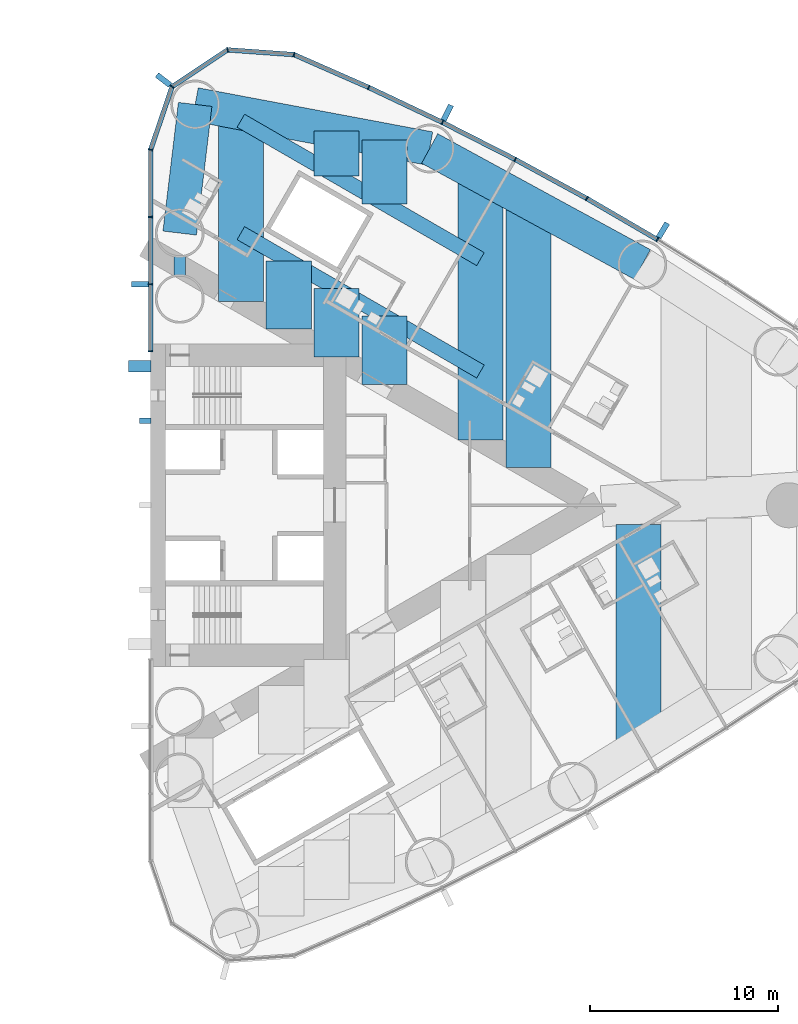
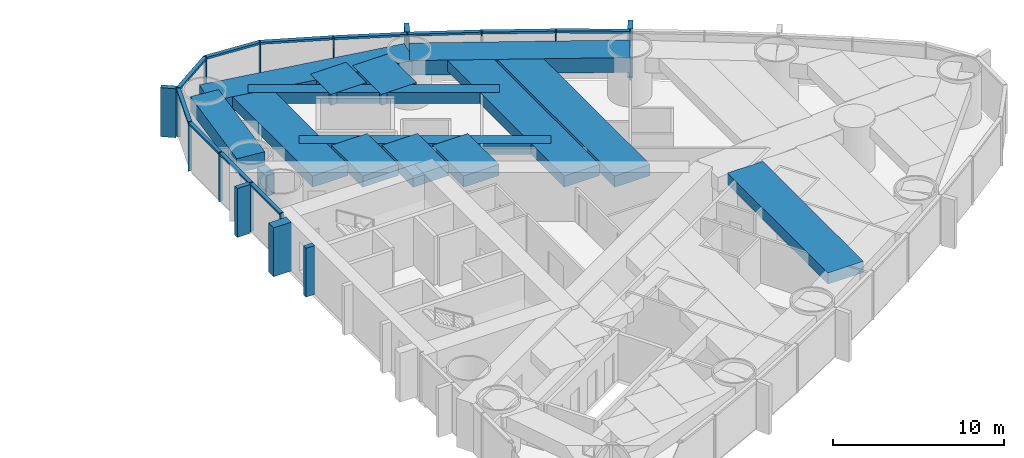
# One storey, part 7 of 18: 29 members, 15 beams, 1 element without a shape of its own.
"""IFC4 building model written with IfcOpenShell, lengths in metres."""

from ifc_helpers import new_model, si_unit, direction, frame, origin, origin_2d, place, context, subcontext, project, spatial, rectangle, hollow_rectangle, extrude, material, material_profile, profile_set, type_object, element, aggregate, save


model = new_model("IFC4")

# Units and contexts
model_context = context("Model", 3, precision=1e-05, world=origin(), true_north=direction((0.0, 1.0)))
body_context = subcontext(model_context, "Body", "Model", "MODEL_VIEW")
ifc_project = project(units=[si_unit("LENGTHUNIT", "METRE"), si_unit("AREAUNIT", "SQUARE_METRE"), si_unit("VOLUMEUNIT", "CUBIC_METRE"), si_unit("PLANEANGLEUNIT", "RADIAN"), si_unit("MASSUNIT", "GRAM", prefix="KILO")], contexts=[model_context])

# Site, building, storey
site_placement = place(None, origin())
site = spatial("IfcSite", under=ifc_project, at=site_placement, CompositionType="ELEMENT")
building_placement = place(site_placement, origin())
building = spatial("IfcBuilding", under=site, at=building_placement, Name="Lancet Gate Hotel", CompositionType="ELEMENT")
storey_placement = place(building_placement, frame((0.0, 0.0, 94.10009765625)))
storey = spatial("IfcBuildingStorey", under=building, at=storey_placement, Name="L24", CompositionType="ELEMENT", Elevation=94.10009765625)

# Curtain wall, members
ifc_material_1 = material(Name="Aluminium curtain wall", Category="aluminium")
curtain_wall_type = type_object("IfcCurtainWallType", Name="Tower unitised curtain wall", PredefinedType="USERDEFINED", material=ifc_material_1)
curtain_wall_placement = place(storey_placement, origin())
curtain_wall = element("IfcCurtainWall", 1, at=curtain_wall_placement, inside=storey, type_object=curtain_wall_type, Name="T2 L24 curtain wall 1", ObjectType="UNITISED CURTAIN WALL", PredefinedType="USERDEFINED")
ifc_material_2 = material(Name="Aluminium mullion", Category="aluminium")
ifc_material_profile_1 = material_profile(ifc_material_2, rectangle(XDim=0.06494140625, YDim=0.25, at=origin_2d()), Name="MULLION 65x250")
ifc_profile_set_1 = profile_set([ifc_material_profile_1], Name="Aluminium mullion")
member_type_1 = type_object("IfcMemberType", Name="Aluminium mullion 65x250", PredefinedType="MULLION", material=ifc_profile_set_1)
member_1_placement = place(storey_placement, frame((54.496337890625, 14.1552734375, 0.0), z_axis=(0.0, 0.0, 1.0), x_axis=(-0.856728030701, 0.515768437781, 0.0)))
member_1 = element("IfcMember", 2, at=member_1_placement, type_object=member_type_1, Name="T2 L24 curtain wall 1 mullion 23", PredefinedType="MULLION", context=body_context, shape_type="SweptSolid", body=[
    extrude(rectangle(XDim=0.06494140625, YDim=0.25, at=origin_2d()), origin(), (0.0, 0.0, 1.0), 3.5),
])
member_2_placement = place(storey_placement, frame((50.740478515625, 16.344482421875, 0.0), z_axis=(0.0, 0.0, 1.0), x_axis=(-0.871028838445, 0.491231882716, 0.0)))
member_2 = element("IfcMember", 3, at=member_2_placement, type_object=member_type_1, Name="T2 L24 curtain wall 1 mullion 24", PredefinedType="MULLION", context=body_context, shape_type="SweptSolid", body=[
    extrude(rectangle(XDim=0.06494140625, YDim=0.25, at=origin_2d()), origin(), (0.0, 0.0, 1.0), 3.5),
])
member_3_placement = place(storey_placement, frame((46.923828125, 18.426025390625, 0.0), z_axis=(0.0, 0.0, 1.0), x_axis=(-0.884627112962, 0.466299121822, 0.0)))
member_3 = element("IfcMember", 4, at=member_3_placement, type_object=member_type_1, Name="T2 L24 curtain wall 1 mullion 25", PredefinedType="MULLION", context=body_context, shape_type="SweptSolid", body=[
    extrude(rectangle(XDim=0.06494140625, YDim=0.25, at=origin_2d()), origin(), (0.0, 0.0, 1.0), 3.5),
])
member_4_placement = place(storey_placement, frame((43.0498046875, 20.398193359375, 0.0), z_axis=(0.0, 0.0, 1.0), x_axis=(-0.897511886496, 0.440990264743, 0.0)))
member_4 = element("IfcMember", 5, at=member_4_placement, type_object=member_type_1, Name="T2 L24 curtain wall 1 mullion 26", PredefinedType="MULLION", context=body_context, shape_type="SweptSolid", body=[
    extrude(rectangle(XDim=0.06494140625, YDim=0.25, at=origin_2d()), origin(), (0.0, 0.0, 1.0), 3.5),
])
member_5_placement = place(storey_placement, frame((39.12109375, 22.259765625, 0.0), z_axis=(0.0, 0.0, 1.0), x_axis=(-0.909672766767, 0.415325724465, 0.0)))
member_5 = element("IfcMember", 6, at=member_5_placement, type_object=member_type_1, Name="T2 L24 curtain wall 1 mullion 27", PredefinedType="MULLION", context=body_context, shape_type="SweptSolid", body=[
    extrude(rectangle(XDim=0.06494140625, YDim=0.25, at=origin_2d()), origin(), (0.0, 0.0, 1.0), 3.5),
])
member_6_placement = place(storey_placement, frame((35.141357421875, 24.009033203125, 0.0), z_axis=(0.0, 0.0, 1.0), x_axis=(-0.966317378791, 0.257353304711, 0.0)))
member_6 = element("IfcMember", 7, at=member_6_placement, type_object=member_type_1, Name="T2 L24 curtain wall 1 mullion 28", PredefinedType="MULLION", context=body_context, shape_type="SweptSolid", body=[
    extrude(rectangle(XDim=0.06494140625, YDim=0.25, at=origin_2d()), origin(), (0.0, 0.0, 1.0), 3.5),
])
member_7_placement = place(storey_placement, frame((31.60205078125, 24.26220703125, 0.0), z_axis=(0.0, 0.0, 1.0), x_axis=(-0.967157174963, -0.254179068604, 0.0)))
member_7 = element("IfcMember", 8, at=member_7_placement, type_object=member_type_1, Name="T2 L24 curtain wall 1 mullion 29", PredefinedType="MULLION", context=body_context, shape_type="SweptSolid", body=[
    extrude(rectangle(XDim=0.06494140625, YDim=0.25, at=origin_2d()), origin(), (0.0, 0.0, 1.0), 3.5),
])
member_8_placement = place(storey_placement, frame((28.64453125, 22.301513671875, 0.0), z_axis=(0.0, 0.0, 1.0), x_axis=(-0.610663954798, -0.79188984986, 0.0)))
member_8 = element("IfcMember", 9, at=member_8_placement, type_object=member_type_1, Name="T2 L24 curtain wall 1 mullion 30", PredefinedType="MULLION", context=body_context, shape_type="SweptSolid", body=[
    extrude(rectangle(XDim=0.06494140625, YDim=0.25, at=origin_2d()), origin(), (0.0, 0.0, 1.0), 3.5),
])
member_9_placement = place(storey_placement, frame((27.5, 18.94287109375, 0.0), z_axis=(0.0, 0.0, 1.0), x_axis=(-0.162738742557, -0.986669195663, 0.0)))
member_9 = element("IfcMember", 10, at=member_9_placement, type_object=member_type_1, Name="T2 L24 curtain wall 1 mullion 31", PredefinedType="MULLION", context=body_context, shape_type="SweptSolid", body=[
    extrude(rectangle(XDim=0.06494140625, YDim=0.25, at=origin_2d()), origin(), (0.0, 0.0, 1.0), 3.5),
])
member_10_placement = place(storey_placement, frame((27.5, 15.362060546875, 0.0), z_axis=(0.0, 0.0, 1.0), x_axis=(0.0, -1.0, 0.0)))
member_10 = element("IfcMember", 11, at=member_10_placement, type_object=member_type_1, Name="T2 L24 curtain wall 1 mullion 32", PredefinedType="MULLION", context=body_context, shape_type="SweptSolid", body=[
    extrude(rectangle(XDim=0.06494140625, YDim=0.25, at=origin_2d()), origin(), (0.0, 0.0, 1.0), 3.5),
])
member_11_placement = place(storey_placement, frame((27.5, 11.781005859375, 0.0), z_axis=(0.0, 0.0, 1.0), x_axis=(0.0, -1.0, 0.0)))
member_11 = element("IfcMember", 12, at=member_11_placement, type_object=member_type_1, Name="T2 L24 curtain wall 1 mullion 33", PredefinedType="MULLION", context=body_context, shape_type="SweptSolid", body=[
    extrude(rectangle(XDim=0.06494140625, YDim=0.25, at=origin_2d()), origin(), (0.0, 0.0, 1.0), 3.5),
])
member_12_placement = place(storey_placement, frame((27.5, 8.199951171875, 0.0), z_axis=(0.0, 0.0, 1.0), x_axis=(0.0, -1.0, 0.0)))
member_12 = element("IfcMember", 13, at=member_12_placement, type_object=member_type_1, Name="T2 L24 curtain wall 1 mullion 34", PredefinedType="MULLION", context=body_context, shape_type="SweptSolid", body=[
    extrude(rectangle(XDim=0.06494140625, YDim=0.25, at=origin_2d()), origin(), (0.0, 0.0, 1.0), 3.5),
])
ifc_material_3 = material(Name="Aluminium transom", Category="aluminium")
ifc_material_profile_2 = material_profile(ifc_material_3, rectangle(XDim=0.25, YDim=0.14990234375, at=origin_2d()), Name="TRANSOM 250x150")
ifc_profile_set_2 = profile_set([ifc_material_profile_2], Name="Aluminium transom")
member_type_2 = type_object("IfcMemberType", Name="Aluminium transom 250x150", PredefinedType="USERDEFINED", material=ifc_profile_set_2)
member_13_placement = place(storey_placement, frame((54.46826171875, 14.171630859375, 3.4248046875), z_axis=(-0.863973212152, 0.503537772847, 0.0), x_axis=(-0.503537772847, -0.863973212152, 0.0)))
member_13 = element("IfcMember", 14, at=member_13_placement, type_object=member_type_2, Name="T2 L24 curtain wall 1 transom 23", ObjectType="TRANSOM", PredefinedType="USERDEFINED", context=body_context, shape_type="SweptSolid", body=[
    extrude(rectangle(XDim=0.25, YDim=0.14990234375, at=origin_2d()), origin(), (0.0, 0.0, 1.0), 4.2822265625),
])
member_14_placement = place(storey_placement, frame((50.7119140625, 16.35986328125, 3.4248046875), z_axis=(-0.877906466435, 0.478832158685, 0.0), x_axis=(-0.478832158685, -0.877906466435, 0.0)))
member_14 = element("IfcMember", 15, at=member_14_placement, type_object=member_type_2, Name="T2 L24 curtain wall 1 transom 24", ObjectType="TRANSOM", PredefinedType="USERDEFINED", context=body_context, shape_type="SweptSolid", body=[
    extrude(rectangle(XDim=0.25, YDim=0.14990234375, at=origin_2d()), origin(), (0.0, 0.0, 1.0), 4.282470703125),
])
member_15_placement = place(storey_placement, frame((46.89501953125, 18.440673828125, 3.4248046875), z_axis=(-0.891165630033, 0.453678101574, 0.0), x_axis=(-0.453678101574, -0.891165630033, 0.0)))
member_15 = element("IfcMember", 16, at=member_15_placement, type_object=member_type_2, Name="T2 L24 curtain wall 1 transom 25", ObjectType="TRANSOM", PredefinedType="USERDEFINED", context=body_context, shape_type="SweptSolid", body=[
    extrude(rectangle(XDim=0.25, YDim=0.14990234375, at=origin_2d()), origin(), (0.0, 0.0, 1.0), 4.282470703125),
])
member_16_placement = place(storey_placement, frame((43.0205078125, 20.412109375, 3.4248046875), z_axis=(-0.903679787814, 0.428208875546, 0.0), x_axis=(-0.428208875546, -0.903679787814, 0.0)))
member_16 = element("IfcMember", 17, at=member_16_placement, type_object=member_type_2, Name="T2 L24 curtain wall 1 transom 26", ObjectType="TRANSOM", PredefinedType="USERDEFINED", context=body_context, shape_type="SweptSolid", body=[
    extrude(rectangle(XDim=0.25, YDim=0.14990234375, at=origin_2d()), origin(), (0.0, 0.0, 1.0), 4.282470703125),
])
member_17_placement = place(storey_placement, frame((39.09130859375, 22.27294921875, 3.4248046875), z_axis=(-0.915484772266, 0.402352621155, 0.0), x_axis=(-0.402352621155, -0.915484772266, 0.0)))
member_17 = element("IfcMember", 18, at=member_17_placement, type_object=member_type_2, Name="T2 L24 curtain wall 1 transom 27", ObjectType="TRANSOM", PredefinedType="USERDEFINED", context=body_context, shape_type="SweptSolid", body=[
    extrude(rectangle(XDim=0.25, YDim=0.14990234375, at=origin_2d()), origin(), (0.0, 0.0, 1.0), 4.281982421875),
])
member_18_placement = place(storey_placement, frame((35.10888671875, 24.01123046875, 3.4248046875), z_axis=(-0.997446232115, 0.071421383636, 0.0), x_axis=(-0.071421383636, -0.997446232115, 0.0)))
member_18 = element("IfcMember", 19, at=member_18_placement, type_object=member_type_2, Name="T2 L24 curtain wall 1 transom 28", ObjectType="TRANSOM", PredefinedType="USERDEFINED", context=body_context, shape_type="SweptSolid", body=[
    extrude(rectangle(XDim=0.25, YDim=0.14990234375, at=origin_2d()), origin(), (0.0, 0.0, 1.0), 3.483154296875),
])
member_19_placement = place(storey_placement, frame((31.574951171875, 24.244384765625, 3.4248046875), z_axis=(-0.833470854141, -0.552563421968, 0.0), x_axis=(0.552563421968, -0.833470854141, 0.0)))
member_19 = element("IfcMember", 20, at=member_19_placement, type_object=member_type_2, Name="T2 L24 curtain wall 1 transom 29", ObjectType="TRANSOM", PredefinedType="USERDEFINED", context=body_context, shape_type="SweptSolid", body=[
    extrude(rectangle(XDim=0.25, YDim=0.14990234375, at=origin_2d()), origin(), (0.0, 0.0, 1.0), 3.4833984375),
])
member_20_placement = place(storey_placement, frame((28.634033203125, 22.270751953125, 3.4248046875), z_axis=(-0.322549769135, -0.946552505903, 0.0), x_axis=(0.946552505903, -0.322549769135, 0.0)))
member_20 = element("IfcMember", 21, at=member_20_placement, type_object=member_type_2, Name="T2 L24 curtain wall 1 transom 30", ObjectType="TRANSOM", PredefinedType="USERDEFINED", context=body_context, shape_type="SweptSolid", body=[
    extrude(rectangle(XDim=0.25, YDim=0.14990234375, at=origin_2d()), origin(), (0.0, 0.0, 1.0), 3.4833984375),
])
member_21_placement = place(storey_placement, frame((27.5, 18.910400390625, 3.4248046875), z_axis=(0.0, -1.0, 0.0), x_axis=(1.0, 0.0, 0.0)))
member_21 = element("IfcMember", 22, at=member_21_placement, type_object=member_type_2, Name="T2 L24 curtain wall 1 transom 31", ObjectType="TRANSOM", PredefinedType="USERDEFINED", context=body_context, shape_type="SweptSolid", body=[
    extrude(rectangle(XDim=0.25, YDim=0.14990234375, at=origin_2d()), origin(), (0.0, 0.0, 1.0), 3.515869140625),
])
member_22_placement = place(storey_placement, frame((27.5, 15.329345703125, 3.4248046875), z_axis=(0.0, -1.0, 0.0), x_axis=(1.0, 0.0, 0.0)))
member_22 = element("IfcMember", 23, at=member_22_placement, type_object=member_type_2, Name="T2 L24 curtain wall 1 transom 32", ObjectType="TRANSOM", PredefinedType="USERDEFINED", context=body_context, shape_type="SweptSolid", body=[
    extrude(rectangle(XDim=0.25, YDim=0.14990234375, at=origin_2d()), origin(), (0.0, 0.0, 1.0), 3.515869140625),
])
member_23_placement = place(storey_placement, frame((27.5, 11.74853515625, 3.4248046875), z_axis=(0.0, -1.0, 0.0), x_axis=(1.0, 0.0, 0.0)))
member_23 = element("IfcMember", 24, at=member_23_placement, type_object=member_type_2, Name="T2 L24 curtain wall 1 transom 33", ObjectType="TRANSOM", PredefinedType="USERDEFINED", context=body_context, shape_type="SweptSolid", body=[
    extrude(rectangle(XDim=0.25, YDim=0.14990234375, at=origin_2d()), origin(), (0.0, 0.0, 1.0), 3.51611328125),
])

# Beams
ifc_material_4 = material(Name="Concrete C50/60", Category="concrete")
ifc_material_profile_3 = material_profile(ifc_material_4, rectangle(XDim=1.800048828125, YDim=1.050048828125, at=origin_2d()), Name="RC 1800x1050")
ifc_profile_set_3 = profile_set([ifc_material_profile_3], Name="Concrete C50/60")
beam_type_1 = type_object("IfcBeamType", Name="Edge beam RC 1800x1050", PredefinedType="SPANDREL", material=ifc_profile_set_3)
beam_1_placement = place(storey_placement, frame((53.697021484375, 12.827392578125, 2.724853515625), z_axis=(-0.87792015078, 0.478807068509, 0.0), x_axis=(-0.478807068509, -0.87792015078, 0.0)))
element("IfcBeam", 25, at=beam_1_placement, inside=storey, type_object=beam_type_1, Name="T2 edge beam EB1 L24", PredefinedType="SPANDREL", context=body_context, shape_type="SweptSolid", body=[
    extrude(rectangle(XDim=1.800048828125, YDim=1.050048828125, at=origin_2d()), origin(), (0.0, 0.0, 1.0), 12.906494140625),
])
beam_2_placement = place(storey_placement, frame((42.3662109375, 19.007080078125, 2.724853515625), z_axis=(-0.982797318081, 0.184687388776, 0.0), x_axis=(-0.184687388776, -0.982797318081, 0.0)))
element("IfcBeam", 26, at=beam_2_placement, inside=storey, type_object=beam_type_1, Name="T2 edge beam EB1 L24", PredefinedType="SPANDREL", context=body_context, shape_type="SweptSolid", body=[
    extrude(rectangle(XDim=1.800048828125, YDim=1.050048828125, at=origin_2d()), origin(), (0.0, 0.0, 1.0), 12.712890625),
])
beam_3_placement = place(storey_placement, frame((29.050048828125, 14.5, 2.724853515625), z_axis=(0.119062951196, 0.99288670736, 0.0), x_axis=(-0.99288670736, 0.119062951196, 0.0)))
element("IfcBeam", 27, at=beam_3_placement, inside=storey, type_object=beam_type_1, Name="T2 edge beam EB1 L24", PredefinedType="SPANDREL", context=body_context, shape_type="SweptSolid", body=[
    extrude(rectangle(XDim=1.800048828125, YDim=1.050048828125, at=origin_2d()), origin(), (0.0, 0.0, 1.0), 6.904052734375),
])

# Member
ifc_material_5 = material(Name="Concrete C60/75", Category="concrete")
ifc_material_profile_4 = material_profile(ifc_material_5, rectangle(XDim=0.60009765625, YDim=1.199951171875, at=origin_2d()), Name="FIN 600x1200")
ifc_profile_set_4 = profile_set([ifc_material_profile_4], Name="Concrete C60/75")
member_type_3 = type_object("IfcMemberType", Name="Exposed concrete buttress pilaster 600x1200", PredefinedType="USERDEFINED", material=ifc_profile_set_4)
member_24_placement = place(storey_placement, frame((26.909912109375, 7.39990234375, 0.0), z_axis=(0.0, 0.0, 1.0), x_axis=(0.0, 1.0, 0.0)))
element("IfcMember", 28, at=member_24_placement, inside=storey, type_object=member_type_3, Name="T2 buttress pilaster N L24", ObjectType="FIN", PredefinedType="USERDEFINED", context=body_context, shape_type="SweptSolid", body=[
    extrude(rectangle(XDim=0.60009765625, YDim=1.199951171875, at=origin_2d()), origin(), (0.0, 0.0, 1.0), 3.5),
])

ifc_material_6 = material(Name="Precast concrete C50/60", Category="concrete")
ifc_material_profile_5 = material_profile(ifc_material_6, rectangle(XDim=0.300048828125, YDim=0.89990234375, at=origin_2d()), Name="FIN 300x900")
ifc_profile_set_5 = profile_set([ifc_material_profile_5], Name="Precast concrete C50/60")
member_type_4 = type_object("IfcMemberType", Name="Exposed concrete fin 300x900", PredefinedType="USERDEFINED", material=ifc_profile_set_5)
member_25_placement = place(storey_placement, frame((54.79296875, 14.64794921875, 0.0), z_axis=(0.0, 0.0, 1.0), x_axis=(-0.856728030701, 0.515768437781, 0.0)))
member_25 = element("IfcMember", 29, at=member_25_placement, type_object=member_type_4, Name="T2 L24 curtain wall 1 fin 23", ObjectType="FIN", PredefinedType="USERDEFINED", context=body_context, shape_type="SweptSolid", body=[
    extrude(rectangle(XDim=0.300048828125, YDim=0.89990234375, at=origin_2d()), origin(), (0.0, 0.0, 1.0), 3.5),
])

member_26_placement = place(storey_placement, frame((43.30322265625, 20.914306640625, 0.0), z_axis=(0.0, 0.0, 1.0), x_axis=(-0.897511886496, 0.440990264743, 0.0)))
member_26 = element("IfcMember", 30, at=member_26_placement, type_object=member_type_4, Name="T2 L24 curtain wall 1 fin 26", ObjectType="FIN", PredefinedType="USERDEFINED", context=body_context, shape_type="SweptSolid", body=[
    extrude(rectangle(XDim=0.300048828125, YDim=0.89990234375, at=origin_2d()), origin(), (0.0, 0.0, 1.0), 3.5),
])

member_27_placement = place(storey_placement, frame((28.189208984375, 22.65283203125, 0.0), z_axis=(0.0, 0.0, 1.0), x_axis=(-0.610663954798, -0.79188984986, 0.0)))
member_27 = element("IfcMember", 31, at=member_27_placement, type_object=member_type_4, Name="T2 L24 curtain wall 1 fin 30", ObjectType="FIN", PredefinedType="USERDEFINED", context=body_context, shape_type="SweptSolid", body=[
    extrude(rectangle(XDim=0.300048828125, YDim=0.89990234375, at=origin_2d()), origin(), (0.0, 0.0, 1.0), 3.5),
])

member_28_placement = place(storey_placement, frame((26.925048828125, 11.781005859375, 0.0), z_axis=(0.0, 0.0, 1.0), x_axis=(0.0, -1.0, 0.0)))
member_28 = element("IfcMember", 32, at=member_28_placement, type_object=member_type_4, Name="T2 L24 curtain wall 1 fin 33", ObjectType="FIN", PredefinedType="USERDEFINED", context=body_context, shape_type="SweptSolid", body=[
    extrude(rectangle(XDim=0.300048828125, YDim=0.89990234375, at=origin_2d()), origin(), (0.0, 0.0, 1.0), 3.5),
])

aggregate(curtain_wall, [member_1, member_25, member_2, member_3, member_4, member_26, member_5, member_6, member_7, member_8, member_27, member_9, member_10, member_11, member_28, member_12, member_13, member_14, member_15, member_16, member_17, member_18, member_19, member_20, member_21, member_22, member_23])

ifc_material_7 = material(Name="Concrete C60/75", Category="concrete")
ifc_material_profile_6 = material_profile(ifc_material_7, rectangle(XDim=0.300048828125, YDim=0.60009765625, at=origin_2d()), Name="FIN 300x600")
ifc_profile_set_6 = profile_set([ifc_material_profile_6], Name="Concrete C60/75")
member_type_5 = type_object("IfcMemberType", Name="Exposed concrete rib 300x600", PredefinedType="USERDEFINED", material=ifc_profile_set_6)
member_29_placement = place(storey_placement, frame((27.2099609375, 4.5, 0.0), z_axis=(0.0, 0.0, 1.0), x_axis=(0.0, 1.0, 0.0)))
element("IfcMember", 33, at=member_29_placement, inside=storey, type_object=member_type_5, Name="T2 core rib 3 L24", ObjectType="FIN", PredefinedType="USERDEFINED", context=body_context, shape_type="SweptSolid", body=[
    extrude(rectangle(XDim=0.300048828125, YDim=0.60009765625, at=origin_2d()), origin(), (0.0, 0.0, 1.0), 3.5),
])

# Beams
ifc_material_8 = material(Name="Concrete C50/60", Category="concrete")
ifc_material_profile_7 = material_profile(ifc_material_8, rectangle(XDim=2.39990234375, YDim=0.800048828125, at=origin_2d()), Name="RC 2400x800")
ifc_profile_set_7 = profile_set([ifc_material_profile_7], Name="Concrete C50/60")
beam_type_2 = type_object("IfcBeamType", Name="Floor beam RC 2400x800", PredefinedType="BEAM", material=ifc_profile_set_7)
beam_4_placement = place(storey_placement, frame((32.306396484375, 10.851806640625, 2.849853515625), z_axis=(0.0, 1.0, 0.0), x_axis=(-1.0, 0.0, 0.0)))
element("IfcBeam", 34, at=beam_4_placement, inside=storey, type_object=beam_type_2, Name="T2 floor beam F02N L24", PredefinedType="BEAM", context=body_context, shape_type="SweptSolid", body=[
    extrude(rectangle(XDim=2.39990234375, YDim=0.800048828125, at=origin_2d()), origin(), (0.0, 0.0, 1.0), 10.0458984375),
])
beam_5_placement = place(storey_placement, frame((45.072265625, 3.4814453125, 2.849853515625), z_axis=(0.0, 1.0, 0.0), x_axis=(-1.0, 0.0, 0.0)))
element("IfcBeam", 35, at=beam_5_placement, inside=storey, type_object=beam_type_2, Name="T2 floor beam F10N L24", PredefinedType="BEAM", context=body_context, shape_type="SweptSolid", body=[
    extrude(rectangle(XDim=2.39990234375, YDim=0.800048828125, at=origin_2d()), origin(), (0.0, 0.0, 1.0), 14.0498046875),
])
beam_6_placement = place(storey_placement, frame((47.62548828125, 2.00732421875, 2.849853515625), z_axis=(0.0, 1.0, 0.0), x_axis=(-1.0, 0.0, 0.0)))
element("IfcBeam", 36, at=beam_6_placement, inside=storey, type_object=beam_type_2, Name="T2 floor beam F12N L24", PredefinedType="BEAM", context=body_context, shape_type="SweptSolid", body=[
    extrude(rectangle(XDim=2.39990234375, YDim=0.800048828125, at=origin_2d()), origin(), (0.0, 0.0, 1.0), 14.13134765625),
])
beam_7_placement = place(storey_placement, frame((53.502197265625, -12.804443359375, 2.849853515625), z_axis=(0.0, 1.0, 0.0), x_axis=(-1.0, 0.0, 0.0)))
element("IfcBeam", 37, at=beam_7_placement, inside=storey, type_object=beam_type_2, Name="T2 floor beam F13S L24", PredefinedType="BEAM", context=body_context, shape_type="SweptSolid", body=[
    extrude(rectangle(XDim=2.39990234375, YDim=0.800048828125, at=origin_2d()), origin(), (0.0, 0.0, 1.0), 11.78564453125),
])
beam_8_placement = place(storey_placement, frame((34.859619140625, 9.377685546875, 2.849853515625), z_axis=(0.0, 1.0, 0.0), x_axis=(-1.0, 0.0, 0.0)))
element("IfcBeam", 38, at=beam_8_placement, inside=storey, type_object=beam_type_2, Name="T2 floor beam F04NA L24", PredefinedType="BEAM", context=body_context, shape_type="SweptSolid", body=[
    extrude(rectangle(XDim=2.39990234375, YDim=0.800048828125, at=origin_2d()), origin(), (0.0, 0.0, 1.0), 3.645751953125),
])
beam_9_placement = place(storey_placement, frame((37.412841796875, 7.903564453125, 2.849853515625), z_axis=(0.0, 1.0, 0.0), x_axis=(-1.0, 0.0, 0.0)))
element("IfcBeam", 39, at=beam_9_placement, inside=storey, type_object=beam_type_2, Name="T2 floor beam F06NA L24", PredefinedType="BEAM", context=body_context, shape_type="SweptSolid", body=[
    extrude(rectangle(XDim=2.39990234375, YDim=0.800048828125, at=origin_2d()), origin(), (0.0, 0.0, 1.0), 3.6455078125),
])
beam_10_placement = place(storey_placement, frame((37.412841796875, 17.537109375, 2.849853515625), z_axis=(0.0, 1.0, 0.0), x_axis=(-1.0, 0.0, 0.0)))
element("IfcBeam", 40, at=beam_10_placement, inside=storey, type_object=beam_type_2, Name="T2 floor beam F06NB L24", PredefinedType="BEAM", context=body_context, shape_type="SweptSolid", body=[
    extrude(rectangle(XDim=2.39990234375, YDim=0.800048828125, at=origin_2d()), origin(), (0.0, 0.0, 1.0), 2.40087890625),
])
beam_11_placement = place(storey_placement, frame((39.9658203125, 6.429443359375, 2.849853515625), z_axis=(0.0, 1.0, 0.0), x_axis=(-1.0, 0.0, 0.0)))
element("IfcBeam", 41, at=beam_11_placement, inside=storey, type_object=beam_type_2, Name="T2 floor beam F08NA L24", PredefinedType="BEAM", context=body_context, shape_type="SweptSolid", body=[
    extrude(rectangle(XDim=2.39990234375, YDim=0.800048828125, at=origin_2d()), origin(), (0.0, 0.0, 1.0), 3.64501953125),
])
beam_12_placement = place(storey_placement, frame((39.9658203125, 16.062744140625, 2.849853515625), z_axis=(0.0, 1.0, 0.0), x_axis=(-1.0, 0.0, 0.0)))
element("IfcBeam", 42, at=beam_12_placement, inside=storey, type_object=beam_type_2, Name="T2 floor beam F08NB L24", PredefinedType="BEAM", context=body_context, shape_type="SweptSolid", body=[
    extrude(rectangle(XDim=2.39990234375, YDim=0.800048828125, at=origin_2d()), origin(), (0.0, 0.0, 1.0), 3.3955078125),
])
ifc_material_9 = material(Name="Steel S460QL", Category="steel")
ifc_material_profile_8 = material_profile(ifc_material_9, hollow_rectangle(XDim=0.60009765625, YDim=1.5, WallThickness=0.050048828125, at=origin_2d()), Name="BOX 1500x600x50")
ifc_profile_set_8 = profile_set([ifc_material_profile_8], Name="Steel S460QL")
beam_type_3 = type_object("IfcBeamType", Name="Inner-face link beam BOX 1500x600x50", PredefinedType="BEAM", material=ifc_profile_set_8)
beam_13_placement = place(storey_placement, frame((29.050048828125, 12.25, 2.5), z_axis=(0.0, 1.0, 0.0), x_axis=(-1.0, 0.0, 0.0)))
element("IfcBeam", 43, at=beam_13_placement, inside=storey, type_object=beam_type_3, Name="T2 inner-face link beam LK1 L24", PredefinedType="BEAM", context=body_context, shape_type="SweptSolid", body=[
    extrude(hollow_rectangle(XDim=0.60009765625, YDim=1.5, WallThickness=0.050048828125, at=origin_2d()), origin(), (0.0, 0.0, 1.0), 1.0),
])
ifc_material_10 = material(Name="Steel S460QL", Category="steel")
ifc_material_profile_9 = material_profile(ifc_material_10, hollow_rectangle(XDim=0.800048828125, YDim=0.800048828125, WallThickness=0.080078125, at=origin_2d()), Name="BOX 800x800x80")
ifc_profile_set_9 = profile_set([ifc_material_profile_9], Name="Steel S460QL")
beam_type_4 = type_object("IfcBeamType", Name="Trimmer beam BOX 800x800x80", PredefinedType="BEAM", material=ifc_profile_set_9)
beam_14_placement = place(storey_placement, frame((32.306396484375, 20.48583984375, 2.849853515625), z_axis=(0.86598286195, -0.500073677381, 0.0), x_axis=(0.500073677381, 0.86598286195, 0.0)))
element("IfcBeam", 44, at=beam_14_placement, inside=storey, type_object=beam_type_4, Name="T2 trimmer beam TR03N L24", PredefinedType="BEAM", context=body_context, shape_type="SweptSolid", body=[
    extrude(hollow_rectangle(XDim=0.800048828125, YDim=0.800048828125, WallThickness=0.080078125, at=origin_2d()), origin(), (0.0, 0.0, 1.0), 14.741455078125),
])
beam_15_placement = place(storey_placement, frame((32.306396484375, 14.497802734375, 2.849853515625), z_axis=(0.865975689888, -0.500086097111, 0.0), x_axis=(0.500086097111, 0.865975689888, 0.0)))
element("IfcBeam", 45, at=beam_15_placement, inside=storey, type_object=beam_type_4, Name="T2 trimmer beam TR04N L24", PredefinedType="BEAM", context=body_context, shape_type="SweptSolid", body=[
    extrude(hollow_rectangle(XDim=0.800048828125, YDim=0.800048828125, WallThickness=0.080078125, at=origin_2d()), origin(), (0.0, 0.0, 1.0), 14.74169921875),
])

save(model, "model.ifc")
